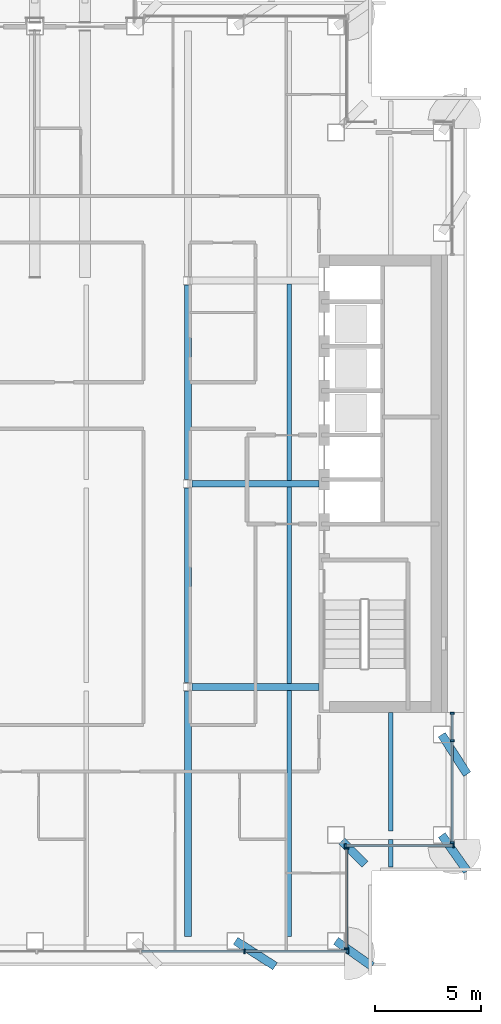
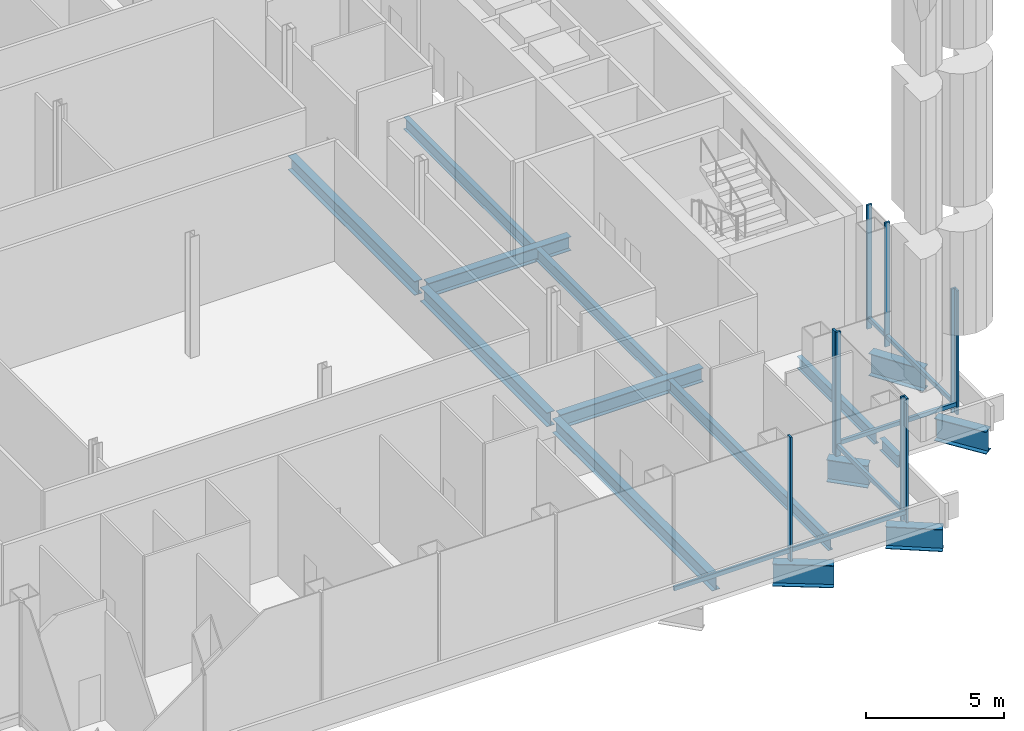
# One storey, part 4 of 22: 15 beams, 15 members, 4 elements without a shape of their own.
"""IFC4 building model written with IfcOpenShell, lengths in metres."""

from ifc_helpers import new_model, si_unit, direction, frame, origin, origin_2d, place, context, subcontext, project, spatial, rectangle, i_section, extrude, material, material_profile, profile_set, type_object, element, aggregate, save


model = new_model("IFC4")

# Units and contexts
model_context = context("Model", 3, precision=1e-05, world=origin(), true_north=direction((0.0, 1.0)))
body_context = subcontext(model_context, "Body", "Model", "MODEL_VIEW")
ifc_project = project(units=[si_unit("LENGTHUNIT", "METRE"), si_unit("AREAUNIT", "SQUARE_METRE"), si_unit("VOLUMEUNIT", "CUBIC_METRE"), si_unit("PLANEANGLEUNIT", "RADIAN"), si_unit("MASSUNIT", "GRAM", prefix="KILO")], contexts=[model_context])

# Site, building, storey
site_placement = place(None, origin())
site = spatial("IfcSite", under=ifc_project, at=site_placement, CompositionType="ELEMENT")
building_placement = place(site_placement, origin())
building = spatial("IfcBuilding", under=site, at=building_placement, Name="Cobrizo Arcos Hotel Tower", CompositionType="ELEMENT")
storey_placement = place(building_placement, frame((0.0, 0.0, 142.5)))
storey = spatial("IfcBuildingStorey", under=building, at=storey_placement, Name="L36", CompositionType="ELEMENT", Elevation=142.5)

# Curtain wall, members
ifc_material_1 = material(Name="Aluminium 6063-T6 anodised bronze", Category="aluminium")
curtain_wall_type = type_object("IfcCurtainWallType", Name="CW-E sky lobby glazing", PredefinedType="NOTDEFINED", material=ifc_material_1)
curtain_wall_1_placement = place(storey_placement, origin())
curtain_wall_1 = element("IfcCurtainWall", 1, at=curtain_wall_1_placement, inside=storey, type_object=curtain_wall_type, Name="CW-E L36 S face", PredefinedType="NOTDEFINED")
ifc_material_profile_1 = material_profile(ifc_material_1, rectangle(XDim=0.199951171875, YDim=0.080078125, at=origin_2d()), Name="CW-E mullion 200x80")
ifc_profile_set_1 = profile_set([ifc_material_profile_1], Name="Aluminium 6063-T6 anodised bronze")
member_type_1 = type_object("IfcMemberType", Name="CW-E mullion 200x80", PredefinedType="MULLION", material=ifc_profile_set_1)
member_1_placement = place(storey_placement, frame((12.28564453125, -22.10009765625, 0.0), z_axis=(0.0, 0.0, 1.0), x_axis=(0.0, -1.0, 0.0)))
member_1 = element("IfcMember", 2, at=member_1_placement, type_object=member_type_1, Name="CW-E mullion 7", PredefinedType="MULLION", context=body_context, shape_type="SweptSolid", body=[
    extrude(rectangle(XDim=0.199951171875, YDim=0.080078125, at=origin_2d()), origin(), (0.0, 0.0, 1.0), 5.5),
])
member_2_placement = place(storey_placement, frame((17.159912109375, -22.10009765625, 0.0), z_axis=(0.0, 0.0, 1.0), x_axis=(0.0, -1.0, 0.0)))
member_2 = element("IfcMember", 3, at=member_2_placement, type_object=member_type_1, Name="CW-E mullion 8", PredefinedType="MULLION", context=body_context, shape_type="SweptSolid", body=[
    extrude(rectangle(XDim=0.199951171875, YDim=0.080078125, at=origin_2d()), origin(), (0.0, 0.0, 1.0), 5.5),
])

curtain_wall_2_placement = place(storey_placement, origin())
curtain_wall_2 = element("IfcCurtainWall", 4, at=curtain_wall_2_placement, inside=storey, type_object=curtain_wall_type, Name="CW-E L36 E face", PredefinedType="NOTDEFINED")
member_3_placement = place(storey_placement, frame((17.10009765625, -21.9599609375, 0.0), z_axis=(0.0, 0.0, 1.0), x_axis=(1.0, 0.0, 0.0)))
member_3 = element("IfcMember", 5, at=member_3_placement, type_object=member_type_1, Name="CW-E mullion 1", PredefinedType="MULLION", context=body_context, shape_type="SweptSolid", body=[
    extrude(rectangle(XDim=0.199951171875, YDim=0.080078125, at=origin_2d()), origin(), (0.0, 0.0, 1.0), 5.5),
])
member_4_placement = place(storey_placement, frame((17.10009765625, -17.239990234375, 0.0), z_axis=(0.0, 0.0, 1.0), x_axis=(1.0, 0.0, 0.0)))
member_4 = element("IfcMember", 6, at=member_4_placement, type_object=member_type_1, Name="CW-E mullion 2", PredefinedType="MULLION", context=body_context, shape_type="SweptSolid", body=[
    extrude(rectangle(XDim=0.199951171875, YDim=0.080078125, at=origin_2d()), origin(), (0.0, 0.0, 1.0), 5.5),
])

curtain_wall_3_placement = place(storey_placement, origin())
curtain_wall_3 = element("IfcCurtainWall", 7, at=curtain_wall_3_placement, inside=storey, type_object=curtain_wall_type, Name="CW-E L36 S face", PredefinedType="NOTDEFINED")
member_5_placement = place(storey_placement, frame((17.0400390625, -17.10009765625, 0.0), z_axis=(0.0, 0.0, 1.0), x_axis=(0.0, -1.0, 0.0)))
member_5 = element("IfcMember", 8, at=member_5_placement, type_object=member_type_1, Name="CW-E mullion 1", PredefinedType="MULLION", context=body_context, shape_type="SweptSolid", body=[
    extrude(rectangle(XDim=0.199951171875, YDim=0.080078125, at=origin_2d()), origin(), (0.0, 0.0, 1.0), 5.5),
])
member_6_placement = place(storey_placement, frame((22.159912109375, -17.10009765625, 0.0), z_axis=(0.0, 0.0, 1.0), x_axis=(0.0, -1.0, 0.0)))
member_6 = element("IfcMember", 9, at=member_6_placement, type_object=member_type_1, Name="CW-E mullion 2", PredefinedType="MULLION", context=body_context, shape_type="SweptSolid", body=[
    extrude(rectangle(XDim=0.199951171875, YDim=0.080078125, at=origin_2d()), origin(), (0.0, 0.0, 1.0), 5.5),
])

curtain_wall_4_placement = place(storey_placement, origin())
curtain_wall_4 = element("IfcCurtainWall", 10, at=curtain_wall_4_placement, inside=storey, type_object=curtain_wall_type, Name="CW-E L36 E face", PredefinedType="NOTDEFINED")
member_7_placement = place(storey_placement, frame((22.10009765625, -16.9599609375, 0.0), z_axis=(0.0, 0.0, 1.0), x_axis=(1.0, 0.0, 0.0)))
member_7 = element("IfcMember", 11, at=member_7_placement, type_object=member_type_1, Name="CW-E mullion 1", PredefinedType="MULLION", context=body_context, shape_type="SweptSolid", body=[
    extrude(rectangle(XDim=0.199951171875, YDim=0.080078125, at=origin_2d()), origin(), (0.0, 0.0, 1.0), 5.5),
])
member_8_placement = place(storey_placement, frame((22.10009765625, -12.142822265625, 0.0), z_axis=(0.0, 0.0, 1.0), x_axis=(1.0, 0.0, 0.0)))
member_8 = element("IfcMember", 12, at=member_8_placement, type_object=member_type_1, Name="CW-E mullion 2", PredefinedType="MULLION", context=body_context, shape_type="SweptSolid", body=[
    extrude(rectangle(XDim=0.199951171875, YDim=0.080078125, at=origin_2d()), origin(), (0.0, 0.0, 1.0), 5.5),
])
member_9_placement = place(storey_placement, frame((22.10009765625, -10.840087890625, 0.0), z_axis=(0.0, 0.0, 1.0), x_axis=(1.0, 0.0, 0.0)))
member_9 = element("IfcMember", 13, at=member_9_placement, type_object=member_type_1, Name="CW-E mullion 3", PredefinedType="MULLION", context=body_context, shape_type="SweptSolid", body=[
    extrude(rectangle(XDim=0.199951171875, YDim=0.080078125, at=origin_2d()), origin(), (0.0, 0.0, 1.0), 5.5),
])

# Member
ifc_material_profile_2 = material_profile(ifc_material_1, rectangle(XDim=0.1201171875, YDim=0.179931640625, at=origin_2d()), Name="CW-E transom 180x120")
ifc_profile_set_2 = profile_set([ifc_material_profile_2], Name="Aluminium 6063-T6 anodised bronze")
member_type_2 = type_object("IfcMemberType", Name="CW-E transom 180x120", PredefinedType="USERDEFINED", material=ifc_profile_set_2)
member_10_placement = place(storey_placement, frame((7.411376953125, -22.10009765625, 0.449951171875), z_axis=(1.0, 0.0, 0.0), x_axis=(0.0, 1.0, 0.0)))
member_10 = element("IfcMember", 14, at=member_10_placement, type_object=member_type_2, Name="CW-E transom 1312", ObjectType="TRANSOM", PredefinedType="USERDEFINED", context=body_context, shape_type="SweptSolid", body=[
    extrude(rectangle(XDim=0.1201171875, YDim=0.179931640625, at=origin_2d()), origin(), (0.0, 0.0, 1.0), 4.834228515625),
])

member_11_placement = place(storey_placement, frame((12.32568359375, -22.10009765625, 0.449951171875), z_axis=(1.0, 0.0, 0.0), x_axis=(0.0, 1.0, 0.0)))
member_11 = element("IfcMember", 15, at=member_11_placement, type_object=member_type_2, Name="CW-E transom 1313", ObjectType="TRANSOM", PredefinedType="USERDEFINED", context=body_context, shape_type="SweptSolid", body=[
    extrude(rectangle(XDim=0.1201171875, YDim=0.179931640625, at=origin_2d()), origin(), (0.0, 0.0, 1.0), 4.79443359375),
])

aggregate(curtain_wall_1, [member_1, member_2, member_10, member_11])

member_12_placement = place(storey_placement, frame((17.10009765625, -21.919921875, 0.449951171875), z_axis=(0.0, 1.0, 0.0), x_axis=(-1.0, 0.0, 0.0)))
member_12 = element("IfcMember", 16, at=member_12_placement, type_object=member_type_2, Name="CW-E transom 1314", ObjectType="TRANSOM", PredefinedType="USERDEFINED", context=body_context, shape_type="SweptSolid", body=[
    extrude(rectangle(XDim=0.1201171875, YDim=0.179931640625, at=origin_2d()), origin(), (0.0, 0.0, 1.0), 4.639892578125),
])

aggregate(curtain_wall_2, [member_3, member_4, member_12])

member_13_placement = place(storey_placement, frame((17.080078125, -17.10009765625, 0.449951171875), z_axis=(1.0, 0.0, 0.0), x_axis=(0.0, 1.0, 0.0)))
member_13 = element("IfcMember", 17, at=member_13_placement, type_object=member_type_2, Name="CW-E transom 1315", ObjectType="TRANSOM", PredefinedType="USERDEFINED", context=body_context, shape_type="SweptSolid", body=[
    extrude(rectangle(XDim=0.1201171875, YDim=0.179931640625, at=origin_2d()), origin(), (0.0, 0.0, 1.0), 5.0400390625),
])

aggregate(curtain_wall_3, [member_5, member_6, member_13])

member_14_placement = place(storey_placement, frame((22.10009765625, -16.919921875, 0.449951171875), z_axis=(0.0, 1.0, 0.0), x_axis=(-1.0, 0.0, 0.0)))
member_14 = element("IfcMember", 18, at=member_14_placement, type_object=member_type_2, Name="CW-E transom 1316", ObjectType="TRANSOM", PredefinedType="USERDEFINED", context=body_context, shape_type="SweptSolid", body=[
    extrude(rectangle(XDim=0.1201171875, YDim=0.179931640625, at=origin_2d()), origin(), (0.0, 0.0, 1.0), 4.737060546875),
])

member_15_placement = place(storey_placement, frame((22.10009765625, -12.102783203125, 0.449951171875), z_axis=(0.0, 1.0, 0.0), x_axis=(-1.0, 0.0, 0.0)))
member_15 = element("IfcMember", 19, at=member_15_placement, type_object=member_type_2, Name="CW-E transom 1317", ObjectType="TRANSOM", PredefinedType="USERDEFINED", context=body_context, shape_type="SweptSolid", body=[
    extrude(rectangle(XDim=0.1201171875, YDim=0.179931640625, at=origin_2d()), origin(), (0.0, 0.0, 1.0), 1.222900390625),
])

aggregate(curtain_wall_4, [member_7, member_8, member_9, member_14, member_15])

# Beams
ifc_material_2 = material(Name="Steel ASTM A992 Grade 50", Category="steel")
ifc_material_profile_3 = material_profile(ifc_material_2, i_section(OverallWidth=0.209228515625, OverallDepth=0.533447265625, WebThickness=0.01025390625, FlangeThickness=0.015625, at=origin_2d()), Name="W21X62")
ifc_profile_set_3 = profile_set([ifc_material_profile_3], Name="Steel ASTM A992 Grade 50")
beam_type_1 = type_object("IfcBeamType", Name="W21X62 joist", PredefinedType="JOIST", material=ifc_profile_set_3)
beam_1_placement = place(storey_placement, frame((14.39990234375, -21.3994140625, -0.466796875), z_axis=(0.0, 1.0, 0.0), x_axis=(-1.0, 0.0, 0.0)))
element("IfcBeam", 20, at=beam_1_placement, inside=storey, type_object=beam_type_1, Name="Floor joist J1, L36, no. 015", PredefinedType="JOIST", context=body_context, shape_type="SweptSolid", body=[
    extrude(i_section(OverallWidth=0.209228515625, OverallDepth=0.533447265625, WebThickness=0.01025390625, FlangeThickness=0.015625, at=origin_2d()), origin(), (0.0, 0.0, 1.0), 11.635498046875),
])
for number, where, z_axis, x_axis, name in (
    (21, (14.39990234375, -9.43603515625, -0.466796875), (0.0, 1.0, 0.0), (-1.0, 0.0, 0.0), "Floor joist J1, L36, no. 016"),
    (22, (14.39990234375, 0.163818359375, -0.466796875), (0.0, 1.0, 0.0), (-1.0, 0.0, 0.0), "Floor joist J1, L36, no. 017"),
):
    element("IfcBeam", number, at=place(storey_placement, frame(where, z_axis=z_axis, x_axis=x_axis)), inside=storey, type_object=beam_type_1, Name=name, PredefinedType="JOIST", context=body_context, shape_type="SweptSolid", body=[
        extrude(i_section(OverallWidth=0.209228515625, OverallDepth=0.533447265625, WebThickness=0.01025390625, FlangeThickness=0.015625, at=origin_2d()), origin(), (0.0, 0.0, 1.0), 9.272216796875),
    ])
beam_2_placement = place(storey_placement, frame((19.199951171875, -18.099609375, -0.466796875), z_axis=(0.0, 1.0, 0.0), x_axis=(-1.0, 0.0, 0.0)))
element("IfcBeam", 23, at=beam_2_placement, inside=storey, type_object=beam_type_1, Name="Floor joist J1, L36, no. 019", PredefinedType="JOIST", context=body_context, shape_type="SweptSolid", body=[
    extrude(i_section(OverallWidth=0.209228515625, OverallDepth=0.533447265625, WebThickness=0.01025390625, FlangeThickness=0.015625, at=origin_2d()), origin(), (0.0, 0.0, 1.0), 1.299072265625),
])
beam_3_placement = place(storey_placement, frame((19.199951171875, -16.3994140625, -0.466796875), z_axis=(0.0, 1.0, 0.0), x_axis=(-1.0, 0.0, 0.0)))
element("IfcBeam", 24, at=beam_3_placement, inside=storey, type_object=beam_type_1, Name="Floor joist J1, L36, no. 020", PredefinedType="JOIST", context=body_context, shape_type="SweptSolid", body=[
    extrude(i_section(OverallWidth=0.209228515625, OverallDepth=0.533447265625, WebThickness=0.01025390625, FlangeThickness=0.015625, at=origin_2d()), origin(), (0.0, 0.0, 1.0), 5.58935546875),
])
ifc_material_profile_4 = material_profile(ifc_material_2, i_section(OverallWidth=0.32763671875, OverallDepth=0.622314453125, WebThickness=0.015380859375, FlangeThickness=0.0244140625, at=origin_2d()), Name="W24X131")
ifc_profile_set_4 = profile_set([ifc_material_profile_4], Name="Steel ASTM A992 Grade 50")
beam_type_2 = type_object("IfcBeamType", Name="W24X131 girder", PredefinedType="BEAM", material=ifc_profile_set_4)
for number, where, z_axis, x_axis, name in (
    (25, (9.79931640625, -9.60009765625, -0.510986328125), (1.0, 0.0, 0.0), (0.0, 1.0, 0.0), "Floor girder G1, L36, no. 002"),
    (26, (9.79931640625, 0.0, -0.510986328125), (1.0, 0.0, 0.0), (0.0, 1.0, 0.0), "Floor girder G1, L36, no. 004"),
):
    element("IfcBeam", number, at=place(storey_placement, frame(where, z_axis=z_axis, x_axis=x_axis)), inside=storey, type_object=beam_type_2, Name=name, PredefinedType="BEAM", context=body_context, shape_type="SweptSolid", body=[
        extrude(i_section(OverallWidth=0.32763671875, OverallDepth=0.622314453125, WebThickness=0.015380859375, FlangeThickness=0.0244140625, at=origin_2d()), origin(), (0.0, 0.0, 1.0), 5.99072265625),
    ])
beam_4_placement = place(storey_placement, frame((9.60009765625, -21.3994140625, -0.510986328125), z_axis=(0.0, 1.0, 0.0), x_axis=(-1.0, 0.0, 0.0)))
element("IfcBeam", 27, at=beam_4_placement, inside=storey, type_object=beam_type_2, Name="Floor girder G1, L36, no. 014", PredefinedType="BEAM", context=body_context, shape_type="SweptSolid", body=[
    extrude(i_section(OverallWidth=0.32763671875, OverallDepth=0.622314453125, WebThickness=0.015380859375, FlangeThickness=0.0244140625, at=origin_2d()), origin(), (0.0, 0.0, 1.0), 11.598876953125),
])
for number, where, z_axis, x_axis, name in (
    (28, (9.60009765625, -9.3994140625, -0.510986328125), (0.0, 1.0, 0.0), (-1.0, 0.0, 0.0), "Floor girder G1, L36, no. 015"),
    (29, (9.60009765625, 0.200439453125, -0.510986328125), (0.0, 1.0, 0.0), (-1.0, 0.0, 0.0), "Floor girder G1, L36, no. 016"),
):
    element("IfcBeam", number, at=place(storey_placement, frame(where, z_axis=z_axis, x_axis=x_axis)), inside=storey, type_object=beam_type_2, Name=name, PredefinedType="BEAM", context=body_context, shape_type="SweptSolid", body=[
        extrude(i_section(OverallWidth=0.32763671875, OverallDepth=0.622314453125, WebThickness=0.015380859375, FlangeThickness=0.0244140625, at=origin_2d()), origin(), (0.0, 0.0, 1.0), 9.198974609375),
    ])
ifc_material_profile_5 = material_profile(ifc_material_2, i_section(OverallWidth=0.4013671875, OverallDepth=0.990478515625, WebThickness=0.0166015625, FlangeThickness=0.025390625, at=origin_2d()), Name="W40X215")
ifc_profile_set_5 = profile_set([ifc_material_profile_5], Name="Steel ASTM A992 Grade 50")
beam_type_3 = type_object("IfcBeamType", Name="W40X215 transfer girder", PredefinedType="BEAM", material=ifc_profile_set_5)
beam_5_placement = place(storey_placement, frame((13.72509765625, -22.800048828125, -0.6953125), z_axis=(-0.841385623692, 0.540435224836, 0.0), x_axis=(-0.540435224836, -0.841385623692, 0.0)))
element("IfcBeam", 30, at=beam_5_placement, inside=storey, type_object=beam_type_3, Name="Setback transfer girder TG1, L36, no. 010", PredefinedType="BEAM", context=body_context, shape_type="SweptSolid", body=[
    extrude(i_section(OverallWidth=0.4013671875, OverallDepth=0.990478515625, WebThickness=0.0166015625, FlangeThickness=0.025390625, at=origin_2d()), origin(), (0.0, 0.0, 1.0), 2.220458984375),
])
for number, where, z_axis, x_axis, name in (
    (31, (18.300048828125, -22.800048828125, -0.6953125), (-0.816971114901, 0.576678591087, 0.0), (-0.576678591087, -0.816971114901, 0.0), "Setback transfer girder TG1, L36, no. 012"),
    (32, (22.800048828125, -18.300048828125, -0.6953125), (-0.576678591087, 0.816971114901, 0.0), (-0.816971114901, -0.576678591087, 0.0), "Setback transfer girder TG1, L36, no. 013"),
):
    element("IfcBeam", number, at=place(storey_placement, frame(where, z_axis=z_axis, x_axis=x_axis)), inside=storey, type_object=beam_type_3, Name=name, PredefinedType="BEAM", context=body_context, shape_type="SweptSolid", body=[
        extrude(i_section(OverallWidth=0.4013671875, OverallDepth=0.990478515625, WebThickness=0.0166015625, FlangeThickness=0.025390625, at=origin_2d()), origin(), (0.0, 0.0, 1.0), 2.080810546875),
    ])
beam_6_placement = place(storey_placement, frame((22.800048828125, -13.72509765625, -0.6953125), z_axis=(-0.540435224836, 0.841385623692, 0.0), x_axis=(-0.841385623692, -0.540435224836, 0.0)))
element("IfcBeam", 33, at=beam_6_placement, inside=storey, type_object=beam_type_3, Name="Setback transfer girder TG1, L36, no. 015", PredefinedType="BEAM", context=body_context, shape_type="SweptSolid", body=[
    extrude(i_section(OverallWidth=0.4013671875, OverallDepth=0.990478515625, WebThickness=0.0166015625, FlangeThickness=0.025390625, at=origin_2d()), origin(), (0.0, 0.0, 1.0), 2.220458984375),
])
beam_7_placement = place(storey_placement, frame((17.981689453125, -17.981689453125, -0.6953125), z_axis=(-0.707106781187, 0.707106781187, 0.0), x_axis=(-0.707106781187, -0.707106781187, 0.0)))
element("IfcBeam", 34, at=beam_7_placement, inside=storey, type_object=beam_type_3, Name="Setback transfer girder TG1, L36, no. 023", PredefinedType="BEAM", context=body_context, shape_type="SweptSolid", body=[
    extrude(i_section(OverallWidth=0.4013671875, OverallDepth=0.990478515625, WebThickness=0.0166015625, FlangeThickness=0.025390625, at=origin_2d()), origin(), (0.0, 0.0, 1.0), 1.553955078125),
])

save(model, "model.ifc")
